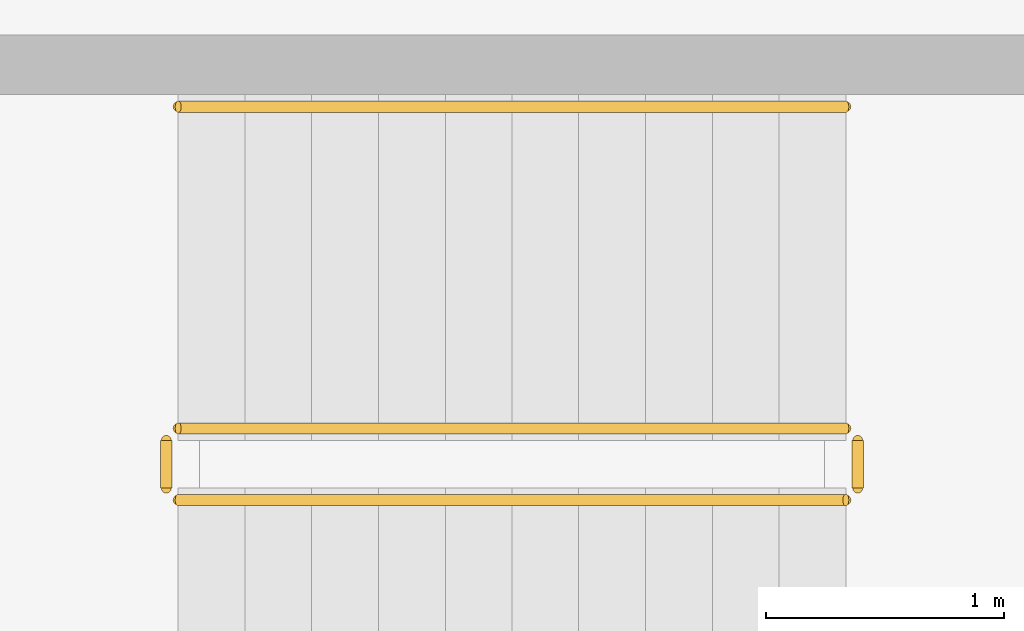
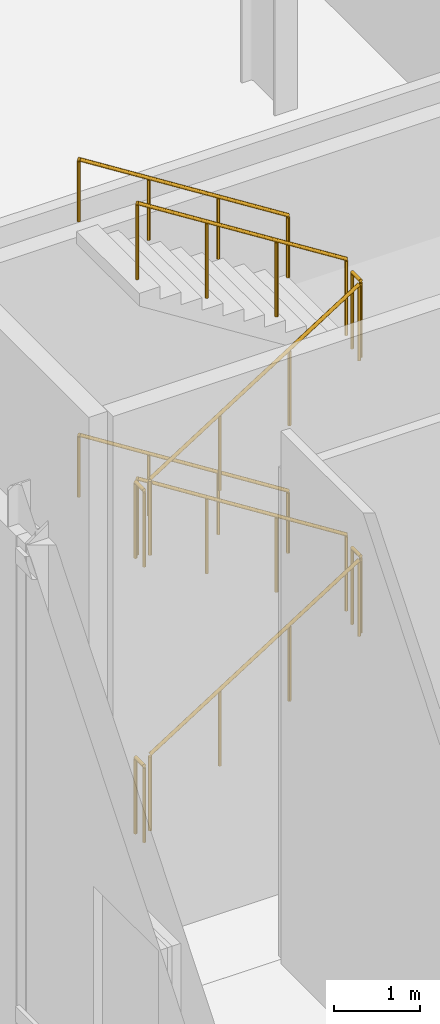
# One storey, part 173 of 176: 10 railings.
"""IFC4 building model written with IfcOpenShell, lengths in metres."""

from ifc_helpers import new_model, si_unit, direction, frame, origin, origin_2d, place, context, subcontext, project, spatial, circle, extrude, material, type_object, element, save


model = new_model("IFC4")

# Units and contexts
model_context = context("Model", 3, precision=1e-05, world=origin(), true_north=direction((0.0, 1.0)))
body_context = subcontext(model_context, "Body", "Model", "MODEL_VIEW")
ifc_project = project(units=[si_unit("LENGTHUNIT", "METRE"), si_unit("AREAUNIT", "SQUARE_METRE"), si_unit("VOLUMEUNIT", "CUBIC_METRE"), si_unit("PLANEANGLEUNIT", "RADIAN"), si_unit("MASSUNIT", "GRAM", prefix="KILO")], contexts=[model_context])

# Site, building, storey
site_placement = place(None, origin())
site = spatial("IfcSite", under=ifc_project, at=site_placement, CompositionType="ELEMENT")
building_placement = place(site_placement, origin())
building = spatial("IfcBuilding", under=site, at=building_placement, Name="Vekula Escarpment Museum", CompositionType="ELEMENT")
storey_placement = place(building_placement, origin())
storey = spatial("IfcBuildingStorey", under=building, at=storey_placement, Name="L01", CompositionType="ELEMENT", Elevation=0.0)

# Railings
ifc_material_1 = material(Name="Painted Steel S355 stair guard", Category="steel")
railing_type_1 = type_object("IfcRailingType", Name="RL-STAIR-GUARD", PredefinedType="GUARDRAIL", material=ifc_material_1)
railing_1_placement = place(storey_placement, frame((170.25, 116.0, 0.17724609375)))
element("IfcRailing", 1, at=railing_1_placement, inside=storey, type_object=railing_type_1, Name="L01 ST-05 stair guard 1", PredefinedType="GUARDRAIL", context=body_context, shape_type="SweptSolid", body=[
    extrude(circle(Radius=0.02392578125, at=origin_2d()), frame((0.0, 0.0, 1.076171875), z_axis=(0.844908973607, 0.0, 0.534910110503), x_axis=(0.0, 1.0, 0.0)), (0.0, 0.0, 1.0), 3.31396484375),
    extrude(circle(Radius=0.02099609375, at=origin_2d()), origin(), (0.0, 0.0, 1.0), 1.052001953125),
    extrude(circle(Radius=0.02099609375, at=origin_2d()), frame((0.933349609375, 0.0, 0.5908203125)), (0.0, 0.0, 1.0), 1.052001953125),
    extrude(circle(Radius=0.02099609375, at=origin_2d()), frame((1.86669921875, 0.0, 1.181884765625)), (0.0, 0.0, 1.0), 1.052001953125),
    extrude(circle(Radius=0.02099609375, at=origin_2d()), frame((2.800048828125, 0.0, 1.772705078125)), (0.0, 0.0, 1.0), 1.052001953125),
])
railing_2_placement = place(storey_placement, frame((173.10009765625, 116.050048828125, 1.949951171875)))
element("IfcRailing", 2, at=railing_2_placement, inside=storey, type_object=railing_type_1, Name="L01 ST-05 stair guard 2", PredefinedType="GUARDRAIL", context=body_context, shape_type="SweptSolid", body=[
    extrude(circle(Radius=0.02392578125, at=origin_2d()), frame((0.0, 0.0, 1.076171875), z_axis=(0.0, 1.0, 0.0), x_axis=(-1.0, 0.0, 0.0)), (0.0, 0.0, 1.0), 0.199951171875),
    extrude(circle(Radius=0.02099609375, at=origin_2d()), origin(), (0.0, 0.0, 1.0), 1.052001953125),
    extrude(circle(Radius=0.02099609375, at=origin_2d()), frame((0.0, 0.199951171875, 0.0)), (0.0, 0.0, 1.0), 1.052001953125),
])
railing_3_placement = place(storey_placement, frame((173.050048828125, 116.300048828125, 2.127197265625)))
element("IfcRailing", 3, at=railing_3_placement, inside=storey, type_object=railing_type_1, Name="L01 ST-05 stair guard 3", PredefinedType="GUARDRAIL", context=body_context, shape_type="SweptSolid", body=[
    extrude(circle(Radius=0.02392578125, at=origin_2d()), frame((0.0, 0.0, 1.076171875), z_axis=(-0.844908973607, 0.0, 0.534910110503), x_axis=(0.0, -1.0, 0.0)), (0.0, 0.0, 1.0), 3.31396484375),
    extrude(circle(Radius=0.02099609375, at=origin_2d()), origin(), (0.0, 0.0, 1.0), 1.052001953125),
    extrude(circle(Radius=0.02099609375, at=origin_2d()), frame((-0.933349609375, 0.0, 0.5908203125)), (0.0, 0.0, 1.0), 1.052001953125),
    extrude(circle(Radius=0.02099609375, at=origin_2d()), frame((-1.86669921875, 0.0, 1.181884765625)), (0.0, 0.0, 1.0), 1.052001953125),
    extrude(circle(Radius=0.02099609375, at=origin_2d()), frame((-2.800048828125, 0.0, 1.772705078125)), (0.0, 0.0, 1.0), 1.052001953125),
])
railing_4_placement = place(storey_placement, frame((170.199951171875, 116.050048828125, 3.89990234375)))
element("IfcRailing", 4, at=railing_4_placement, inside=storey, type_object=railing_type_1, Name="L01 ST-05 stair guard 4", PredefinedType="GUARDRAIL", context=body_context, shape_type="SweptSolid", body=[
    extrude(circle(Radius=0.02392578125, at=origin_2d()), frame((0.0, 0.0, 1.076171875), z_axis=(0.0, 1.0, 0.0), x_axis=(-1.0, 0.0, 0.0)), (0.0, 0.0, 1.0), 0.199951171875),
    extrude(circle(Radius=0.02099609375, at=origin_2d()), origin(), (0.0, 0.0, 1.0), 1.052001953125),
    extrude(circle(Radius=0.02099609375, at=origin_2d()), frame((0.0, 0.199951171875, 0.0)), (0.0, 0.0, 1.0), 1.052001953125),
])
railing_5_placement = place(storey_placement, frame((170.25, 116.0, 4.077392578125)))
element("IfcRailing", 5, at=railing_5_placement, inside=storey, type_object=railing_type_1, Name="L01 ST-05 stair guard 5", PredefinedType="GUARDRAIL", context=body_context, shape_type="SweptSolid", body=[
    extrude(circle(Radius=0.02392578125, at=origin_2d()), frame((0.0, 0.0, 1.076171875), z_axis=(0.844908973607, 0.0, 0.534910110503), x_axis=(0.0, 1.0, 0.0)), (0.0, 0.0, 1.0), 3.31396484375),
    extrude(circle(Radius=0.02099609375, at=origin_2d()), origin(), (0.0, 0.0, 1.0), 1.052001953125),
    extrude(circle(Radius=0.02099609375, at=origin_2d()), frame((0.933349609375, 0.0, 0.5908203125)), (0.0, 0.0, 1.0), 1.052001953125),
    extrude(circle(Radius=0.02099609375, at=origin_2d()), frame((1.86669921875, 0.0, 1.181884765625)), (0.0, 0.0, 1.0), 1.052001953125),
    extrude(circle(Radius=0.02099609375, at=origin_2d()), frame((2.800048828125, 0.0, 1.772705078125)), (0.0, 0.0, 1.0), 1.052001953125),
])
railing_6_placement = place(storey_placement, frame((173.10009765625, 116.050048828125, 5.85009765625)))
element("IfcRailing", 6, at=railing_6_placement, inside=storey, type_object=railing_type_1, Name="L01 ST-05 stair guard 6", PredefinedType="GUARDRAIL", context=body_context, shape_type="SweptSolid", body=[
    extrude(circle(Radius=0.02392578125, at=origin_2d()), frame((0.0, 0.0, 1.076171875), z_axis=(0.0, 1.0, 0.0), x_axis=(-1.0, 0.0, 0.0)), (0.0, 0.0, 1.0), 0.199951171875),
    extrude(circle(Radius=0.02099609375, at=origin_2d()), origin(), (0.0, 0.0, 1.0), 1.052001953125),
    extrude(circle(Radius=0.02099609375, at=origin_2d()), frame((0.0, 0.199951171875, 0.0)), (0.0, 0.0, 1.0), 1.052001953125),
])
railing_7_placement = place(storey_placement, frame((173.050048828125, 116.300048828125, 6.02734375)))
element("IfcRailing", 7, at=railing_7_placement, inside=storey, type_object=railing_type_1, Name="L01 ST-05 stair guard 7", PredefinedType="GUARDRAIL", context=body_context, shape_type="SweptSolid", body=[
    extrude(circle(Radius=0.02392578125, at=origin_2d()), frame((0.0, 0.0, 1.076171875), z_axis=(-0.844908973607, 0.0, 0.534910110503), x_axis=(0.0, -1.0, 0.0)), (0.0, 0.0, 1.0), 3.31396484375),
    extrude(circle(Radius=0.02099609375, at=origin_2d()), origin(), (0.0, 0.0, 1.0), 1.052001953125),
    extrude(circle(Radius=0.02099609375, at=origin_2d()), frame((-0.933349609375, 0.0, 0.5908203125)), (0.0, 0.0, 1.0), 1.052001953125),
    extrude(circle(Radius=0.02099609375, at=origin_2d()), frame((-1.86669921875, 0.0, 1.181884765625)), (0.0, 0.0, 1.0), 1.052001953125),
    extrude(circle(Radius=0.02099609375, at=origin_2d()), frame((-2.800048828125, 0.0, 1.772705078125)), (0.0, 0.0, 1.0), 1.052001953125),
])
railing_8_placement = place(storey_placement, frame((170.199951171875, 116.050048828125, 0.0)))
element("IfcRailing", 8, at=railing_8_placement, inside=storey, type_object=railing_type_1, Name="L01 ST-05 stair guard 8", PredefinedType="GUARDRAIL", context=body_context, shape_type="SweptSolid", body=[
    extrude(circle(Radius=0.02392578125, at=origin_2d()), frame((0.0, 0.0, 1.076171875), z_axis=(0.0, 1.0, 0.0), x_axis=(-1.0, 0.0, 0.0)), (0.0, 0.0, 1.0), 0.199951171875),
    extrude(circle(Radius=0.02099609375, at=origin_2d()), origin(), (0.0, 0.0, 1.0), 1.052001953125),
    extrude(circle(Radius=0.02099609375, at=origin_2d()), frame((0.0, 0.199951171875, 0.0)), (0.0, 0.0, 1.0), 1.052001953125),
])
ifc_material_2 = material(Name="Brushed stainless steel handrail", Category="steel")
railing_type_2 = type_object("IfcRailingType", Name="RL-STAIR-HAND", PredefinedType="HANDRAIL", material=ifc_material_2)
for number, where, name in (
    (9, (173.050048828125, 117.64990234375, 2.127197265625), "L01 ST-05 stair handrail 2"),
    (10, (173.050048828125, 117.64990234375, 6.02734375), "L01 ST-05 stair handrail 4"),
):
    element("IfcRailing", number, at=place(storey_placement, frame(where)), inside=storey, type_object=railing_type_2, Name=name, PredefinedType="HANDRAIL", context=body_context, shape_type="SweptSolid", body=[
        extrude(circle(Radius=0.02392578125, at=origin_2d()), frame((0.0, 0.0, 0.8759765625), z_axis=(-0.844908973607, 0.0, 0.534910110503), x_axis=(0.0, -1.0, 0.0)), (0.0, 0.0, 1.0), 3.31396484375),
        extrude(circle(Radius=0.02099609375, at=origin_2d()), origin(), (0.0, 0.0, 1.0), 0.851806640625),
        extrude(circle(Radius=0.02099609375, at=origin_2d()), frame((-0.933349609375, 0.0, 0.5908203125)), (0.0, 0.0, 1.0), 0.851806640625),
        extrude(circle(Radius=0.02099609375, at=origin_2d()), frame((-1.86669921875, 0.0, 1.181884765625)), (0.0, 0.0, 1.0), 0.851806640625),
        extrude(circle(Radius=0.02099609375, at=origin_2d()), frame((-2.800048828125, 0.0, 1.772705078125)), (0.0, 0.0, 1.0), 0.851806640625),
    ])

save(model, "model.ifc")
